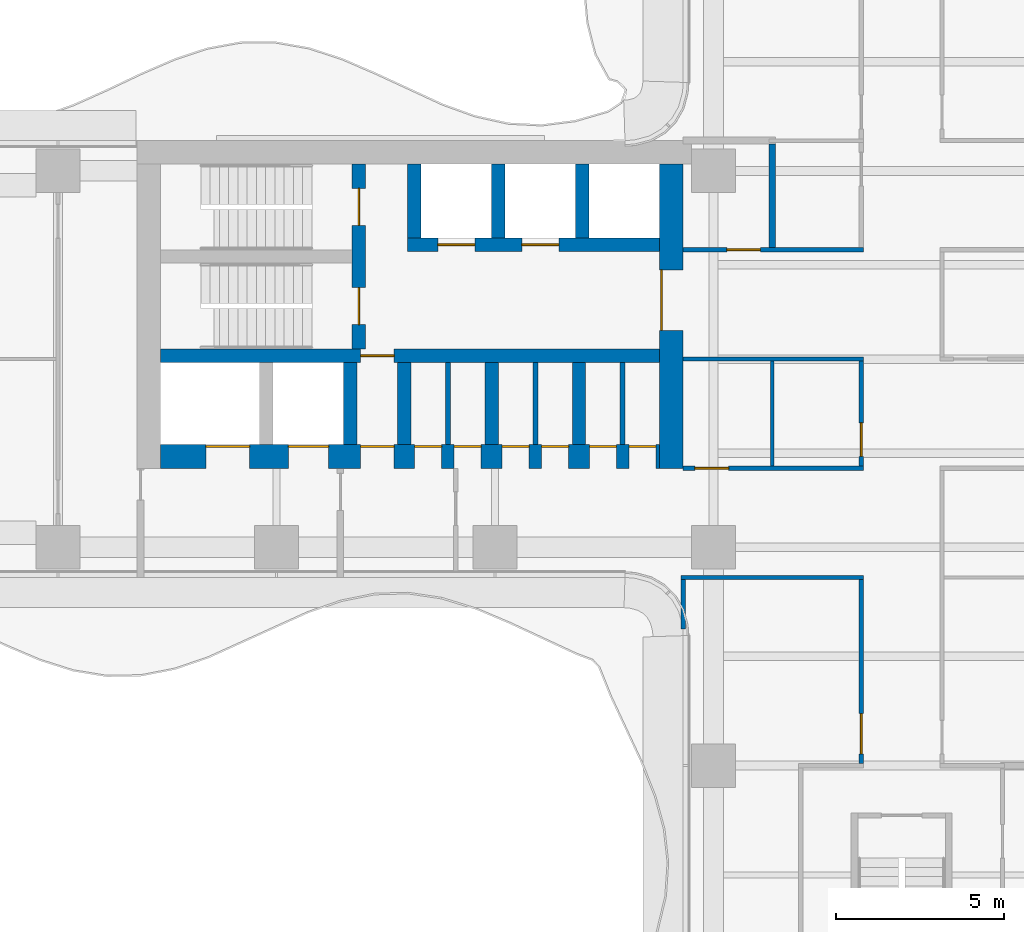
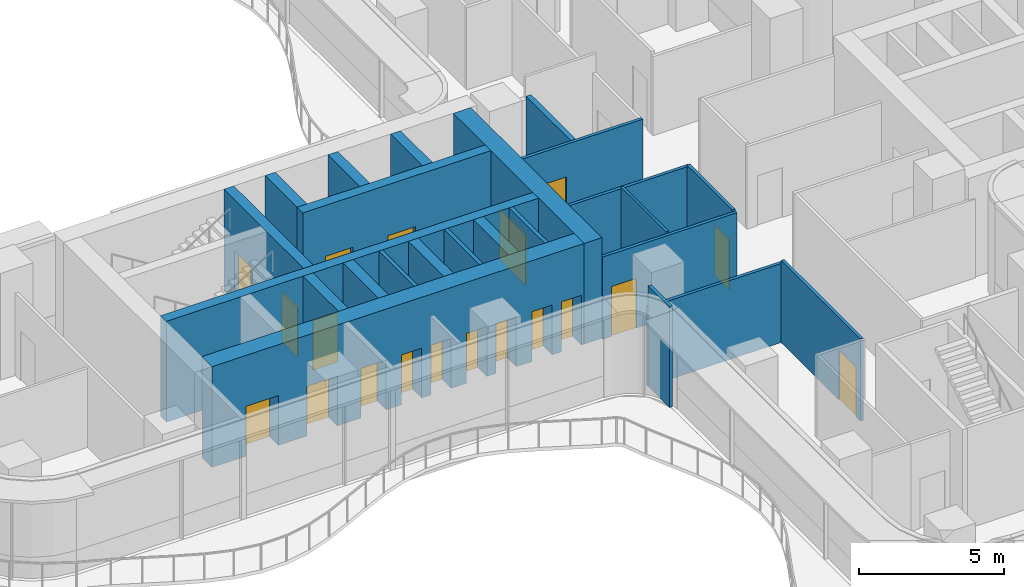
# One storey, part 16 of 21: 24 walls, 19 doors, 19 openings.
"""IFC4 building model written with IfcOpenShell, lengths in metres."""

from ifc_helpers import new_model, si_unit, direction, frame, frame_2d, origin, place, context, subcontext, project, spatial, rectangle, extrude, source, transform, mapped, material, layer, layer_set, type_object, element, fill, save


model = new_model("IFC4")

# Units and contexts
model_context = context("Model", 3, precision=1e-05, world=origin(), true_north=direction((0.0, 1.0)))
body_context = subcontext(model_context, "Body", "Model", "MODEL_VIEW")
ifc_project = project(units=[si_unit("LENGTHUNIT", "METRE"), si_unit("AREAUNIT", "SQUARE_METRE"), si_unit("VOLUMEUNIT", "CUBIC_METRE"), si_unit("PLANEANGLEUNIT", "RADIAN"), si_unit("MASSUNIT", "GRAM", prefix="KILO")], contexts=[model_context])

# Site, building, storey
site_placement = place(None, origin())
site = spatial("IfcSite", under=ifc_project, at=site_placement, CompositionType="ELEMENT")
building_placement = place(site_placement, origin())
building = spatial("IfcBuilding", under=site, at=building_placement, Name="Trellis Farm Tower", CompositionType="ELEMENT")
storey_placement = place(building_placement, frame((0.0, 0.0, 138.0)))
storey = spatial("IfcBuildingStorey", under=building, at=storey_placement, Name="L29", CompositionType="ELEMENT", Elevation=138.0)

# Wall, opening, door
ifc_material_1 = material(Name="Concrete C70/85", Category="concrete")
ifc_layer_1 = layer(ifc_material_1, 0.699951171875)
ifc_layer_set_1 = layer_set([ifc_layer_1], Name="CORE OUTER WALL 700 CONCRETE C70/85")
wall_type_1 = type_object("IfcWallType", Name="CORE OUTER WALL 700 CONCRETE C70/85", PredefinedType="SHEAR", material=ifc_layer_set_1)
shared_shape_1 = source(origin(), body_context, "Body", "SweptSolid", [
    extrude(rectangle(XDim=9.050048828125, YDim=0.699951171875, at=frame_2d((4.52490234375, 0.0))), origin(), (0.0, 0.0, 1.0), 4.25),
])
wall_1_placement = place(storey_placement, frame((-6.85009765625, 5.800048828125, 0.0), z_axis=(0.0, 0.0, 1.0), x_axis=(0.0, -1.0, 0.0)))
wall_1 = element("IfcWall", 1, at=wall_1_placement, inside=storey, type_object=wall_type_1, Name="Core wall", PredefinedType="SHEAR", context=body_context, shape_type="MappedRepresentation", body=[
    mapped(shared_shape_1, transform((0.0, 0.0, 0.0))),
])
shared_shape_2 = source(origin(), body_context, "Body", "SweptSolid", [
    extrude(rectangle(XDim=1.800048828125, YDim=2.10009765625, at=frame_2d((0.89990234375, 1.050048828125))), frame((0.0, 0.360107421875, 0.0), z_axis=(0.0, -1.0, 0.0), x_axis=(1.0, 0.0, 0.0)), (0.0, 0.0, 1.0), 0.72021484375),
])
opening_1_placement = place(wall_1_placement, frame((3.14990234375, 0.0, 0.0)))
opening_1 = element("IfcOpeningElement", 2, at=opening_1_placement, cuts=wall_1, Name="Opening DC87", PredefinedType="OPENING", context=body_context, shape_type="MappedRepresentation", body=[
    mapped(shared_shape_2, transform((0.0, 0.0, 0.0))),
])
ifc_material_2 = material(Name="Steel", Category="steel")
door_type_1 = type_object("IfcDoorType", Name="CORE FIRE DOOR DOUBLE 1800 X 2100", OperationType="DOUBLE_DOOR_SINGLE_SWING", PredefinedType="DOOR", material=ifc_material_2)
shared_shape_3 = source(origin(), body_context, "Body", "SweptSolid", [
    extrude(rectangle(XDim=1.800048828125, YDim=2.10009765625, at=frame_2d((0.89990234375, 1.050048828125))), frame((0.0, -0.27490234375, 0.0), z_axis=(0.0, -1.0, 0.0), x_axis=(1.0, 0.0, 0.0)), (0.0, 0.0, 1.0), 0.050048828125),
])
door_1_placement = place(opening_1_placement, origin())
door_1 = element("IfcDoor", 3, at=door_1_placement, inside=storey, type_object=door_type_1, Name="Core door", OperationType="DOUBLE_DOOR_SINGLE_SWING", OverallHeight=2.10009765625, OverallWidth=1.800048828125, PredefinedType="DOOR", context=body_context, shape_type="MappedRepresentation", body=[
    mapped(shared_shape_3, transform((0.0, 0.0, 0.0))),
])
fill(opening_1, door_1)

# Walls
ifc_layer_2 = layer(ifc_material_1, 0.39990234375)
ifc_layer_set_2 = layer_set([ifc_layer_2], Name="CORE INNER WALL 400 CONCRETE C70/85")
wall_type_2 = type_object("IfcWallType", Name="CORE INNER WALL 400 CONCRETE C70/85", PredefinedType="SHEAR", material=ifc_layer_set_2)
shared_shape_4 = source(origin(), body_context, "Body", "SweptSolid", [
    extrude(rectangle(XDim=2.199951171875, YDim=0.39990234375, at=frame_2d((1.10009765625, 0.0))), origin(), (0.0, 0.0, 1.0), 4.25),
])
for number, where, z_axis, x_axis, name in (
    (4, (-9.5, 5.800048828125, 0.0), (0.0, 0.0, 1.0), (0.0, -1.0, 0.0), "Core wall"),
    (5, (-12.0, 5.800048828125, 0.0), (0.0, 0.0, 1.0), (0.0, -1.0, 0.0), "Core wall"),
    (6, (-14.5, 5.800048828125, 0.0), (0.0, 0.0, 1.0), (0.0, -1.0, 0.0), "Core wall"),
):
    element("IfcWall", number, at=place(storey_placement, frame(where, z_axis=z_axis, x_axis=x_axis)), inside=storey, type_object=wall_type_2, Name=name, PredefinedType="SHEAR", context=body_context, shape_type="MappedRepresentation", body=[
        mapped(shared_shape_4, transform((0.0, 0.0, 0.0))),
    ])
shared_shape_5 = source(origin(), body_context, "Body", "SweptSolid", [
    extrude(rectangle(XDim=2.449951171875, YDim=0.39990234375, at=frame_2d((1.22509765625, 0.0))), origin(), (0.0, 0.0, 1.0), 4.25),
])
for number, where, z_axis, x_axis, name in (
    (7, (-9.60009765625, -0.10009765625, 0.0), (0.0, 0.0, 1.0), (0.0, -1.0, 0.0), "Core wall"),
    (8, (-12.199951171875, -0.10009765625, 0.0), (0.0, 0.0, 1.0), (0.0, -1.0, 0.0), "Core wall"),
    (9, (-14.800048828125, -0.10009765625, 0.0), (0.0, 0.0, 1.0), (0.0, -1.0, 0.0), "Core wall"),
    (10, (-16.39990234375, -0.10009765625, 0.0), (0.0, 0.0, 1.0), (0.0, -1.0, 0.0), "Core wall"),
):
    element("IfcWall", number, at=place(storey_placement, frame(where, z_axis=z_axis, x_axis=x_axis)), inside=storey, type_object=wall_type_2, Name=name, PredefinedType="SHEAR", context=body_context, shape_type="MappedRepresentation", body=[
        mapped(shared_shape_5, transform((0.0, 0.0, 0.0))),
    ])

# Wall, openings, doors
shared_shape_6 = source(origin(), body_context, "Body", "SweptSolid", [
    extrude(rectangle(XDim=14.85009765625, YDim=0.699951171875, at=frame_2d((7.425048828125, 0.0))), origin(), (0.0, 0.0, 1.0), 4.25),
])
wall_2_placement = place(storey_placement, frame((-7.199951171875, -2.89990234375, 0.0), z_axis=(0.0, 0.0, 1.0), x_axis=(-1.0, 0.0, 0.0)))
wall_2 = element("IfcWall", 11, at=wall_2_placement, inside=storey, type_object=wall_type_1, Name="Core wall", PredefinedType="SHEAR", context=body_context, shape_type="MappedRepresentation", body=[
    mapped(shared_shape_6, transform((0.0, 0.0, 0.0))),
])
shared_shape_7 = source(origin(), body_context, "Body", "SweptSolid", [
    extrude(rectangle(XDim=1.300048828125, YDim=2.10009765625, at=frame_2d((0.64990234375, 1.050048828125))), frame((0.0, 0.360107421875, 0.0), z_axis=(0.0, -1.0, 0.0), x_axis=(1.0, 0.0, 0.0)), (0.0, 0.0, 1.0), 0.72021484375),
])
opening_2_placement = place(wall_2_placement, frame((12.199951171875, 0.0, 0.0)))
opening_2 = element("IfcOpeningElement", 12, at=opening_2_placement, cuts=wall_2, Name="Opening LD15", PredefinedType="OPENING", context=body_context, shape_type="MappedRepresentation", body=[
    mapped(shared_shape_7, transform((0.0, 0.0, 0.0))),
])
shared_shape_8 = source(origin(), body_context, "Body", "SweptSolid", [
    extrude(rectangle(XDim=1.199951171875, YDim=2.10009765625, at=frame_2d((0.60009765625, 1.050048828125))), frame((0.0, 0.360107421875, 0.0), z_axis=(0.0, -1.0, 0.0), x_axis=(1.0, 0.0, 0.0)), (0.0, 0.0, 1.0), 0.72021484375),
])
opening_3_placement = place(wall_2_placement, frame((9.85009765625, 0.0, 0.0)))
opening_3 = element("IfcOpeningElement", 13, at=opening_3_placement, cuts=wall_2, Name="Opening LD16", PredefinedType="OPENING", context=body_context, shape_type="MappedRepresentation", body=[
    mapped(shared_shape_8, transform((0.0, 0.0, 0.0))),
])
shared_shape_9 = source(origin(), body_context, "Body", "SweptSolid", [
    extrude(rectangle(XDim=1.0, YDim=2.10009765625, at=frame_2d((0.5, 1.050048828125))), frame((0.0, 0.360107421875, 0.0), z_axis=(0.0, -1.0, 0.0), x_axis=(1.0, 0.0, 0.0)), (0.0, 0.0, 1.0), 0.72021484375),
])
opening_4_placement = place(wall_2_placement, frame((7.89990234375, 0.0, 0.0)))
opening_4 = element("IfcOpeningElement", 14, at=opening_4_placement, cuts=wall_2, Name="Opening DC92", PredefinedType="OPENING", context=body_context, shape_type="MappedRepresentation", body=[
    mapped(shared_shape_9, transform((0.0, 0.0, 0.0))),
])
shared_shape_10 = source(origin(), body_context, "Body", "SweptSolid", [
    extrude(rectangle(XDim=0.800048828125, YDim=2.10009765625, at=frame_2d((0.39990234375, 1.050048828125))), frame((0.0, 0.360107421875, 0.0), z_axis=(0.0, -1.0, 0.0), x_axis=(1.0, 0.0, 0.0)), (0.0, 0.0, 1.0), 0.72021484375),
])
opening_5_placement = place(wall_2_placement, frame((0.112548828125, 0.0, 0.0)))
opening_5 = element("IfcOpeningElement", 15, at=opening_5_placement, cuts=wall_2, Name="Opening DC95", PredefinedType="OPENING", context=body_context, shape_type="MappedRepresentation", body=[
    mapped(shared_shape_10, transform((0.0, 0.0, 0.0))),
])
opening_6_placement = place(wall_2_placement, frame((1.28759765625, 0.0, 0.0)))
opening_6 = element("IfcOpeningElement", 16, at=opening_6_placement, cuts=wall_2, Name="Opening DC102", PredefinedType="OPENING", context=body_context, shape_type="MappedRepresentation", body=[
    mapped(shared_shape_10, transform((0.0, 0.0, 0.0))),
])
opening_7_placement = place(wall_2_placement, frame((2.71240234375, 0.0, 0.0)))
opening_7 = element("IfcOpeningElement", 17, at=opening_7_placement, cuts=wall_2, Name="Opening DC107", PredefinedType="OPENING", context=body_context, shape_type="MappedRepresentation", body=[
    mapped(shared_shape_10, transform((0.0, 0.0, 0.0))),
])
opening_8_placement = place(wall_2_placement, frame((3.887451171875, 0.0, 0.0)))
opening_8 = element("IfcOpeningElement", 18, at=opening_8_placement, cuts=wall_2, Name="Opening DC114", PredefinedType="OPENING", context=body_context, shape_type="MappedRepresentation", body=[
    mapped(shared_shape_10, transform((0.0, 0.0, 0.0))),
])
opening_9_placement = place(wall_2_placement, frame((5.3125, 0.0, 0.0)))
opening_9 = element("IfcOpeningElement", 19, at=opening_9_placement, cuts=wall_2, Name="Opening DC119", PredefinedType="OPENING", context=body_context, shape_type="MappedRepresentation", body=[
    mapped(shared_shape_10, transform((0.0, 0.0, 0.0))),
])
opening_10_placement = place(wall_2_placement, frame((6.487548828125, 0.0, 0.0)))
opening_10 = element("IfcOpeningElement", 20, at=opening_10_placement, cuts=wall_2, Name="Opening DC126", PredefinedType="OPENING", context=body_context, shape_type="MappedRepresentation", body=[
    mapped(shared_shape_10, transform((0.0, 0.0, 0.0))),
])
door_type_2 = type_object("IfcDoorType", Name="CORE FIRE DOOR 1000 X 2100", OperationType="NOTDEFINED", PredefinedType="DOOR", material=ifc_material_2)
shared_shape_11 = source(origin(), body_context, "Body", "SweptSolid", [
    extrude(rectangle(XDim=1.0, YDim=2.10009765625, at=frame_2d((0.5, 1.050048828125))), frame((0.0, -0.27490234375, 0.0), z_axis=(0.0, -1.0, 0.0), x_axis=(1.0, 0.0, 0.0)), (0.0, 0.0, 1.0), 0.050048828125),
])
door_2_placement = place(opening_4_placement, origin())
door_2 = element("IfcDoor", 21, at=door_2_placement, inside=storey, type_object=door_type_2, Name="Core door", OperationType="SINGLE_SWING_LEFT", OverallHeight=2.10009765625, OverallWidth=1.0, PredefinedType="DOOR", context=body_context, shape_type="MappedRepresentation", body=[
    mapped(shared_shape_11, transform((0.0, 0.0, 0.0))),
])
fill(opening_4, door_2)
ifc_material_3 = material(Name="Stainless steel", Category="steel")
door_type_3 = type_object("IfcDoorType", Name="LIFT LANDING DOOR 1300 X 2100", OperationType="DOUBLE_DOOR_SLIDING", PredefinedType="DOOR", material=ifc_material_3)
shared_shape_12 = source(origin(), body_context, "Body", "SweptSolid", [
    extrude(rectangle(XDim=1.300048828125, YDim=2.10009765625, at=frame_2d((0.64990234375, 1.050048828125))), frame((0.0, -0.27490234375, 0.0), z_axis=(0.0, -1.0, 0.0), x_axis=(1.0, 0.0, 0.0)), (0.0, 0.0, 1.0), 0.050048828125),
])
door_3_placement = place(opening_2_placement, origin())
door_3 = element("IfcDoor", 22, at=door_3_placement, inside=storey, type_object=door_type_3, Name="Lift landing door", OperationType="DOUBLE_DOOR_SLIDING", OverallHeight=2.10009765625, OverallWidth=1.300048828125, PredefinedType="DOOR", context=body_context, shape_type="MappedRepresentation", body=[
    mapped(shared_shape_12, transform((0.0, 0.0, 0.0))),
])
fill(opening_2, door_3)
door_type_4 = type_object("IfcDoorType", Name="LIFT LANDING DOOR 1200 X 2100", OperationType="DOUBLE_DOOR_SLIDING", PredefinedType="DOOR", material=ifc_material_3)
shared_shape_13 = source(origin(), body_context, "Body", "SweptSolid", [
    extrude(rectangle(XDim=1.199951171875, YDim=2.10009765625, at=frame_2d((0.60009765625, 1.050048828125))), frame((0.0, -0.27490234375, 0.0), z_axis=(0.0, -1.0, 0.0), x_axis=(1.0, 0.0, 0.0)), (0.0, 0.0, 1.0), 0.050048828125),
])
door_4_placement = place(opening_3_placement, origin())
door_4 = element("IfcDoor", 23, at=door_4_placement, inside=storey, type_object=door_type_4, Name="Lift landing door", OperationType="DOUBLE_DOOR_SLIDING", OverallHeight=2.10009765625, OverallWidth=1.199951171875, PredefinedType="DOOR", context=body_context, shape_type="MappedRepresentation", body=[
    mapped(shared_shape_13, transform((0.0, 0.0, 0.0))),
])
fill(opening_3, door_4)
door_type_5 = type_object("IfcDoorType", Name="CORE FIRE DOOR 800 X 2100", OperationType="NOTDEFINED", PredefinedType="DOOR", material=ifc_material_2)
shared_shape_14 = source(origin(), body_context, "Body", "SweptSolid", [
    extrude(rectangle(XDim=0.800048828125, YDim=2.10009765625, at=frame_2d((0.39990234375, 1.050048828125))), frame((0.0, -0.27490234375, 0.0), z_axis=(0.0, -1.0, 0.0), x_axis=(1.0, 0.0, 0.0)), (0.0, 0.0, 1.0), 0.050048828125),
])
door_5_placement = place(opening_5_placement, origin())
door_5 = element("IfcDoor", 24, at=door_5_placement, inside=storey, type_object=door_type_5, Name="Core door", OperationType="SINGLE_SWING_LEFT", OverallHeight=2.10009765625, OverallWidth=0.800048828125, PredefinedType="DOOR", context=body_context, shape_type="MappedRepresentation", body=[
    mapped(shared_shape_14, transform((0.0, 0.0, 0.0))),
])
fill(opening_5, door_5)
door_6_placement = place(opening_6_placement, origin())
door_6 = element("IfcDoor", 25, at=door_6_placement, inside=storey, type_object=door_type_5, Name="Core door", OperationType="SINGLE_SWING_RIGHT", OverallHeight=2.10009765625, OverallWidth=0.800048828125, PredefinedType="DOOR", context=body_context, shape_type="MappedRepresentation", body=[
    mapped(shared_shape_14, transform((0.0, 0.0, 0.0))),
])
fill(opening_6, door_6)
door_7_placement = place(opening_7_placement, origin())
door_7 = element("IfcDoor", 26, at=door_7_placement, inside=storey, type_object=door_type_5, Name="Core door", OperationType="SINGLE_SWING_LEFT", OverallHeight=2.10009765625, OverallWidth=0.800048828125, PredefinedType="DOOR", context=body_context, shape_type="MappedRepresentation", body=[
    mapped(shared_shape_14, transform((0.0, 0.0, 0.0))),
])
fill(opening_7, door_7)
door_8_placement = place(opening_8_placement, origin())
door_8 = element("IfcDoor", 27, at=door_8_placement, inside=storey, type_object=door_type_5, Name="Core door", OperationType="SINGLE_SWING_RIGHT", OverallHeight=2.10009765625, OverallWidth=0.800048828125, PredefinedType="DOOR", context=body_context, shape_type="MappedRepresentation", body=[
    mapped(shared_shape_14, transform((0.0, 0.0, 0.0))),
])
fill(opening_8, door_8)
door_9_placement = place(opening_9_placement, origin())
door_9 = element("IfcDoor", 28, at=door_9_placement, inside=storey, type_object=door_type_5, Name="Core door", OperationType="SINGLE_SWING_LEFT", OverallHeight=2.10009765625, OverallWidth=0.800048828125, PredefinedType="DOOR", context=body_context, shape_type="MappedRepresentation", body=[
    mapped(shared_shape_14, transform((0.0, 0.0, 0.0))),
])
fill(opening_9, door_9)
door_10_placement = place(opening_10_placement, origin())
door_10 = element("IfcDoor", 29, at=door_10_placement, inside=storey, type_object=door_type_5, Name="Core door", OperationType="SINGLE_SWING_RIGHT", OverallHeight=2.10009765625, OverallWidth=0.800048828125, PredefinedType="DOOR", context=body_context, shape_type="MappedRepresentation", body=[
    mapped(shared_shape_14, transform((0.0, 0.0, 0.0))),
])
fill(opening_10, door_10)

shared_shape_15 = source(origin(), body_context, "Body", "SweptSolid", [
    extrude(rectangle(XDim=7.5, YDim=0.39990234375, at=frame_2d((3.75, 0.0))), origin(), (0.0, 0.0, 1.0), 4.25),
])
wall_3_placement = place(storey_placement, frame((-7.199951171875, 3.39990234375, 0.0), z_axis=(0.0, 0.0, 1.0), x_axis=(-1.0, 0.0, 0.0)))
wall_3 = element("IfcWall", 30, at=wall_3_placement, inside=storey, type_object=wall_type_2, Name="Core wall", PredefinedType="SHEAR", context=body_context, shape_type="MappedRepresentation", body=[
    mapped(shared_shape_15, transform((0.0, 0.0, 0.0))),
])
shared_shape_16 = source(origin(), body_context, "Body", "SweptSolid", [
    extrude(rectangle(XDim=1.10009765625, YDim=2.10009765625, at=frame_2d((0.550048828125, 1.050048828125))), frame((0.0, 0.2099609375, 0.0), z_axis=(0.0, -1.0, 0.0), x_axis=(1.0, 0.0, 0.0)), (0.0, 0.0, 1.0), 0.419921875),
])
opening_11_placement = place(wall_3_placement, frame((3.0, 0.0, 0.0)))
opening_11 = element("IfcOpeningElement", 31, at=opening_11_placement, cuts=wall_3, Name="Opening LD10", PredefinedType="OPENING", context=body_context, shape_type="MappedRepresentation", body=[
    mapped(shared_shape_16, transform((0.0, 0.0, 0.0))),
])
opening_12_placement = place(wall_3_placement, frame((5.5, 0.0, 0.0)))
opening_12 = element("IfcOpeningElement", 32, at=opening_12_placement, cuts=wall_3, Name="Opening LD11", PredefinedType="OPENING", context=body_context, shape_type="MappedRepresentation", body=[
    mapped(shared_shape_16, transform((0.0, 0.0, 0.0))),
])
door_type_6 = type_object("IfcDoorType", Name="LIFT LANDING DOOR 1100 X 2100", OperationType="DOUBLE_DOOR_SLIDING", PredefinedType="DOOR", material=ifc_material_3)
shared_shape_17 = source(origin(), body_context, "Body", "SweptSolid", [
    extrude(rectangle(XDim=1.10009765625, YDim=2.10009765625, at=frame_2d((0.550048828125, 1.050048828125))), frame((0.0, 0.02490234375, 0.0), z_axis=(0.0, -1.0, 0.0), x_axis=(1.0, 0.0, 0.0)), (0.0, 0.0, 1.0), 0.050048828125),
])
door_11_placement = place(opening_11_placement, origin())
door_11 = element("IfcDoor", 33, at=door_11_placement, inside=storey, type_object=door_type_6, Name="Lift landing door", OperationType="DOUBLE_DOOR_SLIDING", OverallHeight=2.10009765625, OverallWidth=1.10009765625, PredefinedType="DOOR", context=body_context, shape_type="MappedRepresentation", body=[
    mapped(shared_shape_17, transform((0.0, 0.0, 0.0))),
])
fill(opening_11, door_11)
door_12_placement = place(opening_12_placement, origin())
door_12 = element("IfcDoor", 34, at=door_12_placement, inside=storey, type_object=door_type_6, Name="Lift landing door", OperationType="DOUBLE_DOOR_SLIDING", OverallHeight=2.10009765625, OverallWidth=1.10009765625, PredefinedType="DOOR", context=body_context, shape_type="MappedRepresentation", body=[
    mapped(shared_shape_17, transform((0.0, 0.0, 0.0))),
])
fill(opening_12, door_12)

# Wall, opening, door
shared_shape_18 = source(origin(), body_context, "Body", "SweptSolid", [
    extrude(rectangle(XDim=14.85009765625, YDim=0.39990234375, at=frame_2d((7.425048828125, 0.0))), origin(), (0.0, 0.0, 1.0), 4.25),
])
wall_4_placement = place(storey_placement, frame((-7.199951171875, 0.10009765625, 0.0), z_axis=(0.0, 0.0, 1.0), x_axis=(-1.0, 0.0, 0.0)))
wall_4 = element("IfcWall", 35, at=wall_4_placement, inside=storey, type_object=wall_type_2, Name="Core wall", PredefinedType="SHEAR", context=body_context, shape_type="MappedRepresentation", body=[
    mapped(shared_shape_18, transform((0.0, 0.0, 0.0))),
])
shared_shape_19 = source(origin(), body_context, "Body", "SweptSolid", [
    extrude(rectangle(XDim=1.0, YDim=2.10009765625, at=frame_2d((0.5, 1.050048828125))), frame((0.0, 0.2099609375, 0.0), z_axis=(0.0, -1.0, 0.0), x_axis=(1.0, 0.0, 0.0)), (0.0, 0.0, 1.0), 0.419921875),
])
opening_13_placement = place(wall_4_placement, frame((7.89990234375, 0.0, 0.0)))
opening_13 = element("IfcOpeningElement", 36, at=opening_13_placement, cuts=wall_4, Name="Opening DC91", PredefinedType="OPENING", context=body_context, shape_type="MappedRepresentation", body=[
    mapped(shared_shape_19, transform((0.0, 0.0, 0.0))),
])
shared_shape_20 = source(origin(), body_context, "Body", "SweptSolid", [
    extrude(rectangle(XDim=1.0, YDim=2.10009765625, at=frame_2d((0.5, 1.050048828125))), frame((0.0, 0.02490234375, 0.0), z_axis=(0.0, -1.0, 0.0), x_axis=(1.0, 0.0, 0.0)), (0.0, 0.0, 1.0), 0.050048828125),
])
door_13_placement = place(opening_13_placement, origin())
door_13 = element("IfcDoor", 37, at=door_13_placement, inside=storey, type_object=door_type_2, Name="Core door", OperationType="SINGLE_SWING_RIGHT", OverallHeight=2.10009765625, OverallWidth=1.0, PredefinedType="DOOR", context=body_context, shape_type="MappedRepresentation", body=[
    mapped(shared_shape_20, transform((0.0, 0.0, 0.0))),
])
fill(opening_13, door_13)

# Wall, openings, doors
shared_shape_21 = source(origin(), body_context, "Body", "SweptSolid", [
    extrude(rectangle(XDim=5.5, YDim=0.39990234375, at=frame_2d((2.75, 0.0))), origin(), (0.0, 0.0, 1.0), 4.25),
])
wall_5_placement = place(storey_placement, frame((-16.14990234375, 5.800048828125, 0.0), z_axis=(0.0, 0.0, 1.0), x_axis=(0.0, -1.0, 0.0)))
wall_5 = element("IfcWall", 38, at=wall_5_placement, inside=storey, type_object=wall_type_2, Name="Core wall", PredefinedType="SHEAR", context=body_context, shape_type="MappedRepresentation", body=[
    mapped(shared_shape_21, transform((0.0, 0.0, 0.0))),
])
opening_14_placement = place(wall_5_placement, frame((0.72509765625, 0.0, 0.0)))
opening_14 = element("IfcOpeningElement", 39, at=opening_14_placement, cuts=wall_5, Name="Opening DC88", PredefinedType="OPENING", context=body_context, shape_type="MappedRepresentation", body=[
    mapped(shared_shape_16, transform((0.0, 0.0, 0.0))),
])
opening_15_placement = place(wall_5_placement, frame((3.675048828125, 0.0, 0.0)))
opening_15 = element("IfcOpeningElement", 40, at=opening_15_placement, cuts=wall_5, Name="Opening DC89", PredefinedType="OPENING", context=body_context, shape_type="MappedRepresentation", body=[
    mapped(shared_shape_16, transform((0.0, 0.0, 0.0))),
])
door_type_7 = type_object("IfcDoorType", Name="CORE FIRE DOOR 1100 X 2100", OperationType="NOTDEFINED", PredefinedType="DOOR", material=ifc_material_2)
door_14_placement = place(opening_14_placement, origin())
door_14 = element("IfcDoor", 41, at=door_14_placement, inside=storey, type_object=door_type_7, Name="Core door", OperationType="SINGLE_SWING_RIGHT", OverallHeight=2.10009765625, OverallWidth=1.10009765625, PredefinedType="DOOR", context=body_context, shape_type="MappedRepresentation", body=[
    mapped(shared_shape_17, transform((0.0, 0.0, 0.0))),
])
fill(opening_14, door_14)
door_15_placement = place(opening_15_placement, origin())
door_15 = element("IfcDoor", 42, at=door_15_placement, inside=storey, type_object=door_type_7, Name="Core door", OperationType="SINGLE_SWING_LEFT", OverallHeight=2.10009765625, OverallWidth=1.10009765625, PredefinedType="DOOR", context=body_context, shape_type="MappedRepresentation", body=[
    mapped(shared_shape_17, transform((0.0, 0.0, 0.0))),
])
fill(opening_15, door_15)

# Walls
ifc_material_4 = material(Name="Masonry blockwork", Category="masonry")
ifc_layer_3 = layer(ifc_material_4, 0.14990234375)
ifc_layer_set_3 = layer_set([ifc_layer_3], Name="CORE PARTITION 150 BLOCKWORK")
wall_type_3 = type_object("IfcWallType", Name="CORE PARTITION 150 BLOCKWORK", PredefinedType="PARTITIONING", material=ifc_layer_set_3)
shared_shape_22 = source(origin(), body_context, "Body", "SweptSolid", [
    extrude(rectangle(XDim=2.449951171875, YDim=0.14990234375, at=frame_2d((1.22509765625, 0.0))), origin(), (0.0, 0.0, 1.0), 4.25),
])
for number, where, z_axis, x_axis, name in (
    (43, (-8.300048828125, -0.10009765625, 0.0), (0.0, 0.0, 1.0), (0.0, -1.0, 0.0), "Core room partition"),
    (44, (-10.89990234375, -0.10009765625, 0.0), (0.0, 0.0, 1.0), (0.0, -1.0, 0.0), "Core room partition"),
    (45, (-13.5, -0.10009765625, 0.0), (0.0, 0.0, 1.0), (0.0, -1.0, 0.0), "Core room partition"),
):
    element("IfcWall", number, at=place(storey_placement, frame(where, z_axis=z_axis, x_axis=x_axis)), inside=storey, type_object=wall_type_3, Name=name, PredefinedType="PARTITIONING", context=body_context, shape_type="MappedRepresentation", body=[
        mapped(shared_shape_22, transform((0.0, 0.0, 0.0))),
    ])

# Wall, opening, door
ifc_material_5 = material(Name="Plasterboard on steel studs, mineral wool", Category="steel")
ifc_layer_4 = layer(ifc_material_5, 0.125)
ifc_layer_set_4 = layer_set([ifc_layer_4], Name="PARTITION 125 STUD EI 60")
wall_type_4 = type_object("IfcWallType", Name="PARTITION 125 STUD EI 60", PredefinedType="PARTITIONING", material=ifc_layer_set_4)
shared_shape_23 = source(origin(), body_context, "Body", "SweptSolid", [
    extrude(rectangle(XDim=3.125, YDim=0.125, at=frame_2d((1.5625, 0.0))), origin(), (0.0, 0.0, 1.0), 3.54638671875),
])
wall_6_placement = place(storey_placement, frame((-1.199951171875, -0.0625, 0.0), z_axis=(0.0, 0.0, 1.0), x_axis=(0.0, -1.0, 0.0)))
wall_6 = element("IfcWall", 46, at=wall_6_placement, inside=storey, type_object=wall_type_4, Name="Partition PW1", PredefinedType="PARTITIONING", context=body_context, shape_type="MappedRepresentation", body=[
    mapped(shared_shape_23, transform((0.0, 0.0, 0.0))),
])
shared_shape_24 = source(origin(), body_context, "Body", "SweptSolid", [
    extrude(rectangle(XDim=1.0, YDim=2.10009765625, at=frame_2d((0.5, 1.050048828125))), frame((0.0, 0.072509765625, 0.0), z_axis=(0.0, -1.0, 0.0), x_axis=(1.0, 0.0, 0.0)), (0.0, 0.0, 1.0), 0.14501953125),
])
opening_16_placement = place(wall_6_placement, frame((1.83740234375, 0.0, 0.0)))
opening_16 = element("IfcOpeningElement", 47, at=opening_16_placement, cuts=wall_6, Name="Opening D106", PredefinedType="OPENING", context=body_context, shape_type="MappedRepresentation", body=[
    mapped(shared_shape_24, transform((0.0, 0.0, 0.0))),
])
ifc_material_6 = material(Name="Fire-rated timber door leaf in a hollow metal frame", Category="wood")
door_type_8 = type_object("IfcDoorType", Name="DOOR 1000x2100 FD30S", OperationType="NOTDEFINED", PredefinedType="DOOR", material=ifc_material_6)
door_16_placement = place(opening_16_placement, origin())
door_16 = element("IfcDoor", 48, at=door_16_placement, inside=storey, type_object=door_type_8, Name="Door D106", OperationType="SINGLE_SWING_RIGHT", OverallHeight=2.10009765625, OverallWidth=1.0, PredefinedType="DOOR", context=body_context, shape_type="MappedRepresentation", body=[
    mapped(shared_shape_20, transform((0.0, 0.0, 0.0))),
])
fill(opening_16, door_16)

shared_shape_25 = source(origin(), body_context, "Body", "SweptSolid", [
    extrude(rectangle(XDim=5.47509765625, YDim=0.125, at=frame_2d((2.737548828125, 0.0))), origin(), (0.0, 0.0, 1.0), 3.4677734375),
])
wall_7_placement = place(storey_placement, frame((-1.199951171875, -12.03759765625, 0.0), z_axis=(0.0, 0.0, 1.0), x_axis=(0.0, 1.0, 0.0)))
wall_7 = element("IfcWall", 49, at=wall_7_placement, inside=storey, type_object=wall_type_4, Name="Partition PW1", PredefinedType="PARTITIONING", context=body_context, shape_type="MappedRepresentation", body=[
    mapped(shared_shape_25, transform((0.0, 0.0, 0.0))),
])
shared_shape_26 = source(origin(), body_context, "Body", "SweptSolid", [
    extrude(rectangle(XDim=1.199951171875, YDim=2.10009765625, at=frame_2d((0.60009765625, 1.050048828125))), frame((0.0, 0.072509765625, 0.0), z_axis=(0.0, -1.0, 0.0), x_axis=(1.0, 0.0, 0.0)), (0.0, 0.0, 1.0), 0.14501953125),
])
opening_17_placement = place(wall_7_placement, frame((0.28759765625, 0.0, 0.0)))
opening_17 = element("IfcOpeningElement", 50, at=opening_17_placement, cuts=wall_7, Name="Opening D601", PredefinedType="OPENING", context=body_context, shape_type="MappedRepresentation", body=[
    mapped(shared_shape_26, transform((0.0, 0.0, 0.0))),
])
door_type_9 = type_object("IfcDoorType", Name="DOOR 1200x2100 FD30S", OperationType="NOTDEFINED", PredefinedType="DOOR", material=ifc_material_6)
shared_shape_27 = source(origin(), body_context, "Body", "SweptSolid", [
    extrude(rectangle(XDim=1.199951171875, YDim=2.10009765625, at=frame_2d((0.60009765625, 1.050048828125))), frame((0.0, 0.02490234375, 0.0), z_axis=(0.0, -1.0, 0.0), x_axis=(1.0, 0.0, 0.0)), (0.0, 0.0, 1.0), 0.050048828125),
])
door_17_placement = place(opening_17_placement, origin())
door_17 = element("IfcDoor", 51, at=door_17_placement, inside=storey, type_object=door_type_9, Name="Door D601", OperationType="SINGLE_SWING_LEFT", OverallHeight=2.10009765625, OverallWidth=1.199951171875, PredefinedType="DOOR", context=body_context, shape_type="MappedRepresentation", body=[
    mapped(shared_shape_27, transform((0.0, 0.0, 0.0))),
])
fill(opening_17, door_17)

# Wall
shared_shape_28 = source(origin(), body_context, "Body", "SweptSolid", [
    extrude(rectangle(XDim=1.468994140625, YDim=0.125, at=frame_2d((0.734375, 0.0))), origin(), (0.0, 0.0, 1.0), 4.25),
])
wall_8_placement = place(storey_placement, frame((-6.5, -6.5625, 0.0), z_axis=(0.0, 0.0, 1.0), x_axis=(0.0, -1.0, 0.0)))
element("IfcWall", 52, at=wall_8_placement, inside=storey, type_object=wall_type_4, Name="Partition PW1", PredefinedType="PARTITIONING", context=body_context, shape_type="MappedRepresentation", body=[
    mapped(shared_shape_28, transform((0.0, 0.0, 0.0))),
])

# Wall, opening, door
shared_shape_29 = source(origin(), body_context, "Body", "SweptSolid", [
    extrude(rectangle(XDim=5.362548828125, YDim=0.125, at=frame_2d((2.68115234375, 0.0))), origin(), (0.0, 0.0, 1.0), 3.4677734375),
])
wall_9_placement = place(storey_placement, frame((-1.137451171875, -3.25, 0.0), z_axis=(0.0, 0.0, 1.0), x_axis=(-1.0, 0.0, 0.0)))
wall_9 = element("IfcWall", 53, at=wall_9_placement, inside=storey, type_object=wall_type_4, Name="Partition PW1", PredefinedType="PARTITIONING", context=body_context, shape_type="MappedRepresentation", body=[
    mapped(shared_shape_29, transform((0.0, 0.0, 0.0))),
])
opening_18_placement = place(wall_9_placement, frame((4.012451171875, 0.0, 0.0)))
opening_18 = element("IfcOpeningElement", 54, at=opening_18_placement, cuts=wall_9, Name="Opening D105", PredefinedType="OPENING", context=body_context, shape_type="MappedRepresentation", body=[
    mapped(shared_shape_24, transform((0.0, 0.0, 0.0))),
])
door_18_placement = place(opening_18_placement, origin())
door_18 = element("IfcDoor", 55, at=door_18_placement, inside=storey, type_object=door_type_8, Name="Door D105", OperationType="SINGLE_SWING_RIGHT", OverallHeight=2.10009765625, OverallWidth=1.0, PredefinedType="DOOR", context=body_context, shape_type="MappedRepresentation", body=[
    mapped(shared_shape_20, transform((0.0, 0.0, 0.0))),
])
fill(opening_18, door_18)

# Wall
wall_10_placement = place(storey_placement, frame((-1.137451171875, 0.0, 0.0), z_axis=(0.0, 0.0, 1.0), x_axis=(-1.0, 0.0, 0.0)))
element("IfcWall", 56, at=wall_10_placement, inside=storey, type_object=wall_type_4, Name="Partition PW1", PredefinedType="PARTITIONING", context=body_context, shape_type="MappedRepresentation", body=[
    mapped(shared_shape_29, transform((0.0, 0.0, 0.0))),
])

# Wall, opening, door
wall_11_placement = place(storey_placement, frame((-6.5, 3.25, 0.0), z_axis=(0.0, 0.0, 1.0), x_axis=(1.0, 0.0, 0.0)))
wall_11 = element("IfcWall", 57, at=wall_11_placement, inside=storey, type_object=wall_type_4, Name="Partition PW1", PredefinedType="PARTITIONING", context=body_context, shape_type="MappedRepresentation", body=[
    mapped(shared_shape_29, transform((0.0, 0.0, 0.0))),
])
opening_19_placement = place(wall_11_placement, frame((1.300048828125, 0.0, 0.0)))
opening_19 = element("IfcOpeningElement", 58, at=opening_19_placement, cuts=wall_11, Name="Opening D302", PredefinedType="OPENING", context=body_context, shape_type="MappedRepresentation", body=[
    mapped(shared_shape_24, transform((0.0, 0.0, 0.0))),
])
door_type_10 = type_object("IfcDoorType", Name="DOOR 1000x2100 FD60", OperationType="NOTDEFINED", PredefinedType="DOOR", material=ifc_material_6)
door_19_placement = place(opening_19_placement, origin())
door_19 = element("IfcDoor", 59, at=door_19_placement, inside=storey, type_object=door_type_10, Name="Door D302", OperationType="SINGLE_SWING_RIGHT", OverallHeight=2.10009765625, OverallWidth=1.0, PredefinedType="DOOR", context=body_context, shape_type="MappedRepresentation", body=[
    mapped(shared_shape_20, transform((0.0, 0.0, 0.0))),
])
fill(opening_19, door_19)

# Walls
shared_shape_30 = source(origin(), body_context, "Body", "SweptSolid", [
    extrude(rectangle(XDim=5.425048828125, YDim=0.125, at=frame_2d((2.71240234375, 0.0))), origin(), (0.0, 0.0, 1.0), 3.330078125),
])
wall_12_placement = place(storey_placement, frame((-1.137451171875, -6.5, 0.0), z_axis=(0.0, 0.0, 1.0), x_axis=(-1.0, 0.0, 0.0)))
element("IfcWall", 60, at=wall_12_placement, inside=storey, type_object=wall_type_4, Name="Partition PW1", PredefinedType="PARTITIONING", context=body_context, shape_type="MappedRepresentation", body=[
    mapped(shared_shape_30, transform((0.0, 0.0, 0.0))),
])
ifc_material_7 = material(Name="Plasterboard on steel studs", Category="steel")
ifc_layer_5 = layer(ifc_material_7, 0.10009765625)
ifc_layer_set_5 = layer_set([ifc_layer_5], Name="PARTITION 100 STUD EI 30")
wall_type_5 = type_object("IfcWallType", Name="PARTITION 100 STUD EI 30", PredefinedType="PARTITIONING", material=ifc_layer_set_5)
shared_shape_31 = source(origin(), body_context, "Body", "SweptSolid", [
    extrude(rectangle(XDim=3.125, YDim=0.10009765625, at=frame_2d((1.5625, 0.0))), origin(), (0.0, 0.0, 1.0), 3.54638671875),
])
wall_13_placement = place(storey_placement, frame((-3.85009765625, -3.1875, 0.0), z_axis=(0.0, 0.0, 1.0), x_axis=(0.0, 1.0, 0.0)))
element("IfcWall", 61, at=wall_13_placement, inside=storey, type_object=wall_type_5, Name="Partition PW2", PredefinedType="PARTITIONING", context=body_context, shape_type="MappedRepresentation", body=[
    mapped(shared_shape_31, transform((0.0, 0.0, 0.0))),
])
ifc_material_8 = material(Name="Lightweight blockwork, plastered", Category="masonry")
ifc_layer_6 = layer(ifc_material_8, 0.199951171875)
ifc_layer_set_6 = layer_set([ifc_layer_6], Name="BLOCK WALL 200 EI 120")
wall_type_6 = type_object("IfcWallType", Name="BLOCK WALL 200 EI 120", PredefinedType="PARTITIONING", material=ifc_layer_set_6)
shared_shape_32 = source(origin(), body_context, "Body", "SweptSolid", [
    extrude(rectangle(XDim=3.08740234375, YDim=0.199951171875, at=frame_2d((1.543701171875, 0.0))), origin(), (0.0, 0.0, 1.0), 3.4677734375),
])
wall_14_placement = place(storey_placement, frame((-3.85009765625, 3.3125, 0.0), z_axis=(0.0, 0.0, 1.0), x_axis=(0.0, 1.0, 0.0)))
element("IfcWall", 62, at=wall_14_placement, inside=storey, type_object=wall_type_6, Name="Partition PW3", PredefinedType="PARTITIONING", context=body_context, shape_type="MappedRepresentation", body=[
    mapped(shared_shape_32, transform((0.0, 0.0, 0.0))),
])

save(model, "model.ifc")
